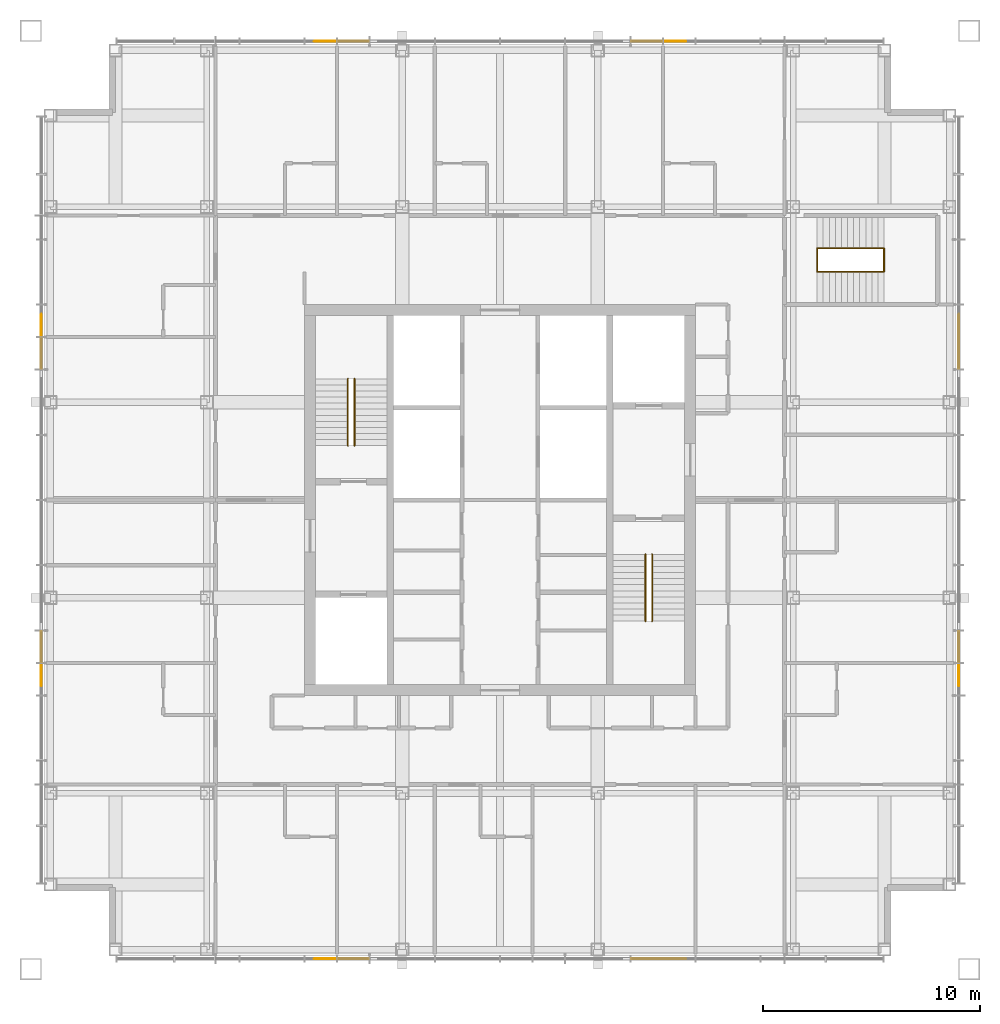
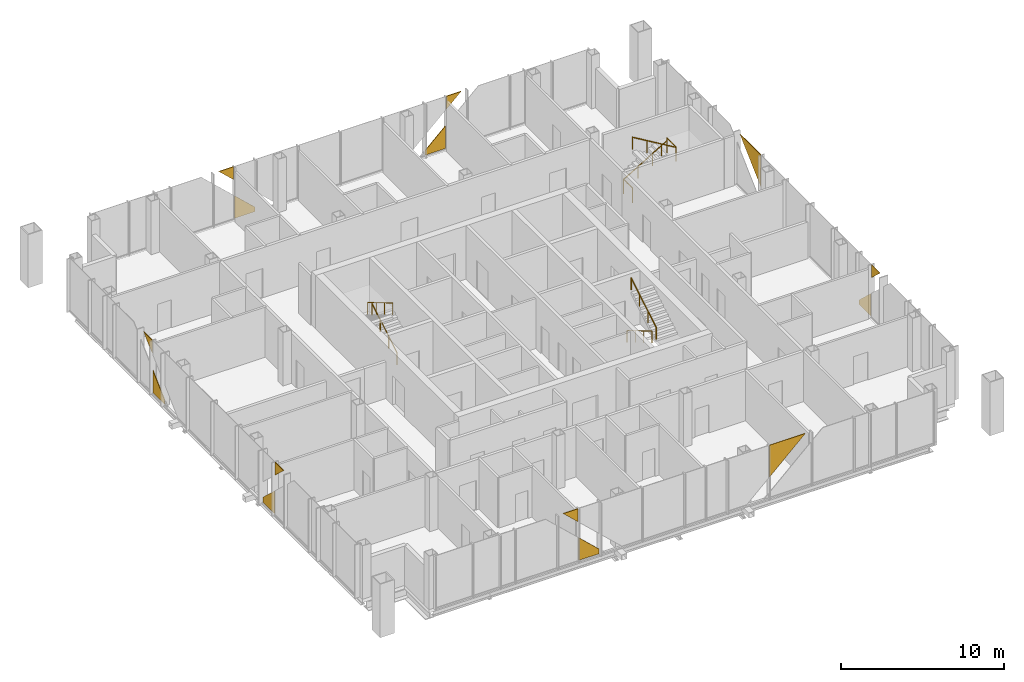
# One storey, part 11 of 13: 14 coverings, 8 railings.
"""IFC4 building model written with IfcOpenShell, lengths in metres."""

from ifc_helpers import new_model, si_unit, direction, frame, origin, origin_2d, place, context, subcontext, project, spatial, polyline, circle, outline, extrude, material, layer, layer_set, type_object, element, save


model = new_model("IFC4")

# Units and contexts
model_context = context("Model", 3, precision=1e-05, world=origin(), true_north=direction((0.0, 1.0)))
body_context = subcontext(model_context, "Body", "Model", "MODEL_VIEW")
ifc_project = project(units=[si_unit("LENGTHUNIT", "METRE"), si_unit("AREAUNIT", "SQUARE_METRE"), si_unit("VOLUMEUNIT", "CUBIC_METRE"), si_unit("PLANEANGLEUNIT", "RADIAN"), si_unit("MASSUNIT", "GRAM", prefix="KILO")], contexts=[model_context])

# Site, building, storey
site_placement = place(None, origin())
site = spatial("IfcSite", under=ifc_project, at=site_placement, CompositionType="ELEMENT")
building_placement = place(site_placement, origin())
building = spatial("IfcBuilding", under=site, at=building_placement, Name="Malebo Sky Hospital", CompositionType="ELEMENT")
storey_placement = place(building_placement, frame((0.0, 0.0, 274.0)))
storey = spatial("IfcBuildingStorey", under=building, at=storey_placement, Name="L66", CompositionType="ELEMENT", Elevation=274.0)

# Coverings
ifc_material_1 = material(Name="Anodised aluminium, natural silver insulated infill panel", Category="aluminium")
ifc_layer = layer(ifc_material_1, 0.0400390625)
ifc_layer_set = layer_set([ifc_layer], Name="BRACE INFILL PANEL 40")
covering_type = type_object("IfcCoveringType", Name="BRACE INFILL PANEL 40", PredefinedType="CLADDING", material=ifc_layer_set)
covering_1_placement = place(storey_placement, frame((51.942138671875, 83.125, 3.015625), z_axis=(0.0, 0.0, 1.0), x_axis=(1.0, 0.0, 0.0)))
element("IfcCovering", 1, at=covering_1_placement, inside=storey, type_object=covering_type, Name="Brace infill panel 5.1", PredefinedType="CLADDING", context=body_context, shape_type="SweptSolid", body=[
    extrude(outline(polyline([(0.520263671875, 0.0), (0.520263671875, 0.974365234375), (-0.5205078125, 0.974365234375), (0.520263671875, 0.0)])), frame((0.0, 0.02001953125, 0.0), z_axis=(0.0, -1.0, 0.0), x_axis=(1.0, 0.0, 0.0)), (0.0, 0.0, 1.0), 0.0400390625),
])
covering_2_placement = place(storey_placement, frame((53.25, 83.125, 0.10009765625), z_axis=(0.0, 0.0, 1.0), x_axis=(1.0, 0.0, 0.0)))
element("IfcCovering", 2, at=covering_2_placement, inside=storey, type_object=covering_type, Name="Brace infill panel 6.1", PredefinedType="CLADDING", context=body_context, shape_type="SweptSolid", body=[
    extrude(outline(polyline([(-0.71240234375, 0.0), (0.71240234375, 0.0), (0.71240234375, 0.34521484375), (-0.71240234375, 1.679443359375), (-0.71240234375, 0.0)])), frame((0.0, 0.02001953125, 0.0), z_axis=(0.0, -1.0, 0.0), x_axis=(1.0, 0.0, 0.0)), (0.0, 0.0, 1.0), 0.0400390625),
])
covering_3_placement = place(storey_placement, frame((66.75, 83.125, 0.10009765625), z_axis=(0.0, 0.0, 1.0), x_axis=(1.0, 0.0, 0.0)))
element("IfcCovering", 3, at=covering_3_placement, inside=storey, type_object=covering_type, Name="Brace infill panel 11.1", PredefinedType="CLADDING", context=body_context, shape_type="SweptSolid", body=[
    extrude(outline(polyline([(-0.71240234375, 0.0), (0.71240234375, 0.0), (0.71240234375, 1.679443359375), (-0.71240234375, 0.34521484375), (-0.71240234375, 0.0)])), frame((0.0, 0.02001953125, 0.0), z_axis=(0.0, -1.0, 0.0), x_axis=(1.0, 0.0, 0.0)), (0.0, 0.0, 1.0), 0.0400390625),
])
covering_4_placement = place(storey_placement, frame((68.057861328125, 83.125, 3.015625), z_axis=(0.0, 0.0, 1.0), x_axis=(1.0, 0.0, 0.0)))
element("IfcCovering", 4, at=covering_4_placement, inside=storey, type_object=covering_type, Name="Brace infill panel 12.1", PredefinedType="CLADDING", context=body_context, shape_type="SweptSolid", body=[
    extrude(outline(polyline([(-0.520263671875, 0.0), (0.5205078125, 0.974365234375), (-0.520263671875, 0.974365234375), (-0.520263671875, 0.0)])), frame((0.0, 0.02001953125, 0.0), z_axis=(0.0, -1.0, 0.0), x_axis=(1.0, 0.0, 0.0)), (0.0, 0.0, 1.0), 0.0400390625),
])
covering_5_placement = place(storey_placement, frame((38.875, 53.942138671875, 3.015625), z_axis=(0.0, 0.0, 1.0), x_axis=(0.0, 1.0, 0.0)))
element("IfcCovering", 5, at=covering_5_placement, inside=storey, type_object=covering_type, Name="Brace infill panel 5.1", PredefinedType="CLADDING", context=body_context, shape_type="SweptSolid", body=[
    extrude(outline(polyline([(0.520263671875, 0.0), (0.520263671875, 0.974365234375), (-0.5205078125, 0.974365234375), (0.520263671875, 0.0)])), frame((0.0, 0.02001953125, 0.0), z_axis=(0.0, -1.0, 0.0), x_axis=(1.0, 0.0, 0.0)), (0.0, 0.0, 1.0), 0.0400390625),
])
covering_6_placement = place(storey_placement, frame((38.875, 55.25, 0.10009765625), z_axis=(0.0, 0.0, 1.0), x_axis=(0.0, 1.0, 0.0)))
element("IfcCovering", 6, at=covering_6_placement, inside=storey, type_object=covering_type, Name="Brace infill panel 6.1", PredefinedType="CLADDING", context=body_context, shape_type="SweptSolid", body=[
    extrude(outline(polyline([(-0.71240234375, 0.0), (0.71240234375, 0.0), (0.71240234375, 0.34521484375), (-0.71240234375, 1.679443359375), (-0.71240234375, 0.0)])), frame((0.0, 0.02001953125, 0.0), z_axis=(0.0, -1.0, 0.0), x_axis=(1.0, 0.0, 0.0)), (0.0, 0.0, 1.0), 0.0400390625),
])
covering_7_placement = place(storey_placement, frame((38.875, 68.75, 0.10009765625), z_axis=(0.0, 0.0, 1.0), x_axis=(0.0, 1.0, 0.0)))
element("IfcCovering", 7, at=covering_7_placement, inside=storey, type_object=covering_type, Name="Brace infill panel 11.1", PredefinedType="CLADDING", context=body_context, shape_type="SweptSolid", body=[
    extrude(outline(polyline([(-0.71240234375, 0.0), (0.71240234375, 0.0), (0.71240234375, 1.679443359375), (-0.71240234375, 0.34521484375), (-0.71240234375, 0.0)])), frame((0.0, 0.02001953125, 0.0), z_axis=(0.0, -1.0, 0.0), x_axis=(1.0, 0.0, 0.0)), (0.0, 0.0, 1.0), 0.0400390625),
])
covering_8_placement = place(storey_placement, frame((38.875, 70.057861328125, 3.015625), z_axis=(0.0, 0.0, 1.0), x_axis=(0.0, 1.0, 0.0)))
element("IfcCovering", 8, at=covering_8_placement, inside=storey, type_object=covering_type, Name="Brace infill panel 12.1", PredefinedType="CLADDING", context=body_context, shape_type="SweptSolid", body=[
    extrude(outline(polyline([(-0.520263671875, 0.0), (0.5205078125, 0.974365234375), (-0.520263671875, 0.974365234375), (-0.520263671875, 0.0)])), frame((0.0, 0.02001953125, 0.0), z_axis=(0.0, -1.0, 0.0), x_axis=(1.0, 0.0, 0.0)), (0.0, 0.0, 1.0), 0.0400390625),
])
covering_9_placement = place(storey_placement, frame((67.307861328125, 40.875, 1.611083984375), z_axis=(0.0, 0.0, 1.0), x_axis=(-1.0, 0.0, 0.0)))
element("IfcCovering", 9, at=covering_9_placement, inside=storey, type_object=covering_type, Name="Brace infill panel 5.1", PredefinedType="CLADDING", context=body_context, shape_type="SweptSolid", body=[
    extrude(outline(polyline([(1.2705078125, 0.0), (1.2705078125, 2.37890625), (-1.270263671875, 2.37890625), (1.2705078125, 0.0)])), frame((0.0, 0.02001953125, 0.0), z_axis=(0.0, -1.0, 0.0), x_axis=(1.0, 0.0, 0.0)), (0.0, 0.0, 1.0), 0.0400390625),
])
covering_10_placement = place(storey_placement, frame((53.25, 40.875, 0.10009765625), z_axis=(0.0, 0.0, 1.0), x_axis=(-1.0, 0.0, 0.0)))
element("IfcCovering", 10, at=covering_10_placement, inside=storey, type_object=covering_type, Name="Brace infill panel 11.1", PredefinedType="CLADDING", context=body_context, shape_type="SweptSolid", body=[
    extrude(outline(polyline([(-0.71240234375, 0.0), (0.71240234375, 0.0), (0.71240234375, 1.679443359375), (-0.71240234375, 0.34521484375), (-0.71240234375, 0.0)])), frame((0.0, 0.02001953125, 0.0), z_axis=(0.0, -1.0, 0.0), x_axis=(1.0, 0.0, 0.0)), (0.0, 0.0, 1.0), 0.0400390625),
])
covering_11_placement = place(storey_placement, frame((51.942138671875, 40.875, 3.015625), z_axis=(0.0, 0.0, 1.0), x_axis=(-1.0, 0.0, 0.0)))
element("IfcCovering", 11, at=covering_11_placement, inside=storey, type_object=covering_type, Name="Brace infill panel 12.1", PredefinedType="CLADDING", context=body_context, shape_type="SweptSolid", body=[
    extrude(outline(polyline([(-0.520263671875, 0.0), (0.5205078125, 0.974365234375), (-0.520263671875, 0.974365234375), (-0.520263671875, 0.0)])), frame((0.0, 0.02001953125, 0.0), z_axis=(0.0, -1.0, 0.0), x_axis=(1.0, 0.0, 0.0)), (0.0, 0.0, 1.0), 0.0400390625),
])
covering_12_placement = place(storey_placement, frame((81.125, 69.307861328125, 1.611083984375), z_axis=(0.0, 0.0, 1.0), x_axis=(0.0, -1.0, 0.0)))
element("IfcCovering", 12, at=covering_12_placement, inside=storey, type_object=covering_type, Name="Brace infill panel 4.1", PredefinedType="CLADDING", context=body_context, shape_type="SweptSolid", body=[
    extrude(outline(polyline([(1.2705078125, 0.0), (1.2705078125, 2.37890625), (-1.270263671875, 2.37890625), (1.2705078125, 0.0)])), frame((0.0, 0.02001953125, 0.0), z_axis=(0.0, -1.0, 0.0), x_axis=(1.0, 0.0, 0.0)), (0.0, 0.0, 1.0), 0.0400390625),
])
covering_13_placement = place(storey_placement, frame((81.125, 55.25, 0.10009765625), z_axis=(0.0, 0.0, 1.0), x_axis=(0.0, -1.0, 0.0)))
element("IfcCovering", 13, at=covering_13_placement, inside=storey, type_object=covering_type, Name="Brace infill panel 9.1", PredefinedType="CLADDING", context=body_context, shape_type="SweptSolid", body=[
    extrude(outline(polyline([(-0.71240234375, 0.0), (0.71240234375, 0.0), (0.71240234375, 1.679443359375), (-0.71240234375, 0.34521484375), (-0.71240234375, 0.0)])), frame((0.0, 0.02001953125, 0.0), z_axis=(0.0, -1.0, 0.0), x_axis=(1.0, 0.0, 0.0)), (0.0, 0.0, 1.0), 0.0400390625),
])
covering_14_placement = place(storey_placement, frame((81.125, 53.942138671875, 3.015625), z_axis=(0.0, 0.0, 1.0), x_axis=(0.0, -1.0, 0.0)))
element("IfcCovering", 14, at=covering_14_placement, inside=storey, type_object=covering_type, Name="Brace infill panel 10.1", PredefinedType="CLADDING", context=body_context, shape_type="SweptSolid", body=[
    extrude(outline(polyline([(-0.520263671875, 0.0), (0.5205078125, 0.974365234375), (-0.520263671875, 0.974365234375), (-0.520263671875, 0.0)])), frame((0.0, 0.02001953125, 0.0), z_axis=(0.0, -1.0, 0.0), x_axis=(1.0, 0.0, 0.0)), (0.0, 0.0, 1.0), 0.0400390625),
])

# Railings
ifc_material_2 = material(Name="Stainless steel balustrade", Category="steel")
railing_type_1 = type_object("IfcRailingType", Name="STAIR GUARD 1100", PredefinedType="GUARDRAIL", material=ifc_material_2)
for number, where, name in (
    (15, (74.60009765625, 72.5, 0.0), "Stair guard S3 floor landing"),
    (16, (77.679931640625, 72.5, 2.0), "Stair guard S3 mid landing"),
):
    element("IfcRailing", number, at=place(storey_placement, frame(where)), inside=storey, type_object=railing_type_1, Name=name, PredefinedType="GUARDRAIL", context=body_context, shape_type="SweptSolid", body=[
        extrude(circle(Radius=0.02392578125, at=origin_2d()), frame((0.0, 0.0, 1.076171875), z_axis=(0.0, 1.0, 0.0), x_axis=(-1.0, 0.0, 0.0)), (0.0, 0.0, 1.0), 1.10009765625),
        extrude(circle(Radius=0.02099609375, at=origin_2d()), origin(), (0.0, 0.0, 1.0), 1.052001953125),
        extrude(circle(Radius=0.02099609375, at=origin_2d()), frame((0.0, 1.10009765625, 0.0)), (0.0, 0.0, 1.0), 1.052001953125),
    ])
ifc_material_3 = material(Name="Stainless steel tube", Category="steel")
railing_type_2 = type_object("IfcRailingType", Name="STAIR HANDRAIL 900", PredefinedType="HANDRAIL", material=ifc_material_3)
railing_1_placement = place(storey_placement, frame((53.300048828125, 64.5, 0.166748046875)))
element("IfcRailing", 17, at=railing_1_placement, inside=storey, type_object=railing_type_2, Name="Stair handrail S1 flight 1", PredefinedType="HANDRAIL", context=body_context, shape_type="SweptSolid", body=[
    extrude(circle(Radius=0.02392578125, at=origin_2d()), frame((0.0, 0.0, 0.8759765625), z_axis=(0.0, 0.859308565015, 0.511457515432), x_axis=(-1.0, 0.0, 0.0)), (0.0, 0.0, 1.0), 3.58447265625),
    extrude(circle(Radius=0.02099609375, at=origin_2d()), origin(), (0.0, 0.0, 1.0), 0.851806640625),
    extrude(circle(Radius=0.02099609375, at=origin_2d()), frame((0.0, 1.026611328125, 0.611083984375)), (0.0, 0.0, 1.0), 0.851806640625),
    extrude(circle(Radius=0.02099609375, at=origin_2d()), frame((0.0, 2.053466796875, 1.22216796875)), (0.0, 0.0, 1.0), 0.851806640625),
    extrude(circle(Radius=0.02099609375, at=origin_2d()), frame((0.0, 3.080078125, 1.833251953125)), (0.0, 0.0, 1.0), 0.851806640625),
])
for number, where, name in (
    (18, (53.0, 67.580078125, 2.166748046875), "Stair handrail S1 flight 2"),
    (19, (66.699951171875, 59.5, 0.166748046875), "Stair handrail S2 flight 1"),
):
    element("IfcRailing", number, at=place(storey_placement, frame(where)), inside=storey, type_object=railing_type_2, Name=name, PredefinedType="HANDRAIL", context=body_context, shape_type="SweptSolid", body=[
        extrude(circle(Radius=0.02392578125, at=origin_2d()), frame((0.0, 0.0, 0.8759765625), z_axis=(0.0, -0.859308565015, 0.511457515432), x_axis=(1.0, 0.0, 0.0)), (0.0, 0.0, 1.0), 3.58447265625),
        extrude(circle(Radius=0.02099609375, at=origin_2d()), origin(), (0.0, 0.0, 1.0), 0.851806640625),
        extrude(circle(Radius=0.02099609375, at=origin_2d()), frame((0.0, -1.026611328125, 0.611083984375)), (0.0, 0.0, 1.0), 0.851806640625),
        extrude(circle(Radius=0.02099609375, at=origin_2d()), frame((0.0, -2.053466796875, 1.22216796875)), (0.0, 0.0, 1.0), 0.851806640625),
        extrude(circle(Radius=0.02099609375, at=origin_2d()), frame((0.0, -3.080078125, 1.833251953125)), (0.0, 0.0, 1.0), 0.851806640625),
    ])
railing_2_placement = place(storey_placement, frame((67.0, 56.419921875, 2.166748046875)))
element("IfcRailing", 20, at=railing_2_placement, inside=storey, type_object=railing_type_2, Name="Stair handrail S2 flight 2", PredefinedType="HANDRAIL", context=body_context, shape_type="SweptSolid", body=[
    extrude(circle(Radius=0.02392578125, at=origin_2d()), frame((0.0, 0.0, 0.8759765625), z_axis=(0.0, 0.859308565015, 0.511457515432), x_axis=(-1.0, 0.0, 0.0)), (0.0, 0.0, 1.0), 3.58447265625),
    extrude(circle(Radius=0.02099609375, at=origin_2d()), origin(), (0.0, 0.0, 1.0), 0.851806640625),
    extrude(circle(Radius=0.02099609375, at=origin_2d()), frame((0.0, 1.026611328125, 0.611083984375)), (0.0, 0.0, 1.0), 0.851806640625),
    extrude(circle(Radius=0.02099609375, at=origin_2d()), frame((0.0, 2.053466796875, 1.22216796875)), (0.0, 0.0, 1.0), 0.851806640625),
    extrude(circle(Radius=0.02099609375, at=origin_2d()), frame((0.0, 3.080078125, 1.833251953125)), (0.0, 0.0, 1.0), 0.851806640625),
])
railing_3_placement = place(storey_placement, frame((74.60009765625, 73.60009765625, 0.166748046875)))
element("IfcRailing", 21, at=railing_3_placement, inside=storey, type_object=railing_type_2, Name="Stair handrail S3 flight 1", PredefinedType="HANDRAIL", context=body_context, shape_type="SweptSolid", body=[
    extrude(circle(Radius=0.02392578125, at=origin_2d()), frame((0.0, 0.0, 0.8759765625), z_axis=(0.859290745958, 0.0, 0.51148745235), x_axis=(0.0, 1.0, 0.0)), (0.0, 0.0, 1.0), 3.584228515625),
    extrude(circle(Radius=0.02099609375, at=origin_2d()), origin(), (0.0, 0.0, 1.0), 0.851806640625),
    extrude(circle(Radius=0.02099609375, at=origin_2d()), frame((1.026611328125, 0.0, 0.611083984375)), (0.0, 0.0, 1.0), 0.851806640625),
    extrude(circle(Radius=0.02099609375, at=origin_2d()), frame((2.05322265625, 0.0, 1.22216796875)), (0.0, 0.0, 1.0), 0.851806640625),
    extrude(circle(Radius=0.02099609375, at=origin_2d()), frame((3.079833984375, 0.0, 1.833251953125)), (0.0, 0.0, 1.0), 0.851806640625),
])
railing_4_placement = place(storey_placement, frame((77.679931640625, 72.5, 2.166748046875)))
element("IfcRailing", 22, at=railing_4_placement, inside=storey, type_object=railing_type_2, Name="Stair handrail S3 flight 2", PredefinedType="HANDRAIL", context=body_context, shape_type="SweptSolid", body=[
    extrude(circle(Radius=0.02392578125, at=origin_2d()), frame((0.0, 0.0, 0.8759765625), z_axis=(-0.859290745958, 0.0, 0.51148745235), x_axis=(0.0, -1.0, 0.0)), (0.0, 0.0, 1.0), 3.584228515625),
    extrude(circle(Radius=0.02099609375, at=origin_2d()), origin(), (0.0, 0.0, 1.0), 0.851806640625),
    extrude(circle(Radius=0.02099609375, at=origin_2d()), frame((-1.026611328125, 0.0, 0.611083984375)), (0.0, 0.0, 1.0), 0.851806640625),
    extrude(circle(Radius=0.02099609375, at=origin_2d()), frame((-2.05322265625, 0.0, 1.22216796875)), (0.0, 0.0, 1.0), 0.851806640625),
    extrude(circle(Radius=0.02099609375, at=origin_2d()), frame((-3.079833984375, 0.0, 1.833251953125)), (0.0, 0.0, 1.0), 0.851806640625),
])

save(model, "model.ifc")
